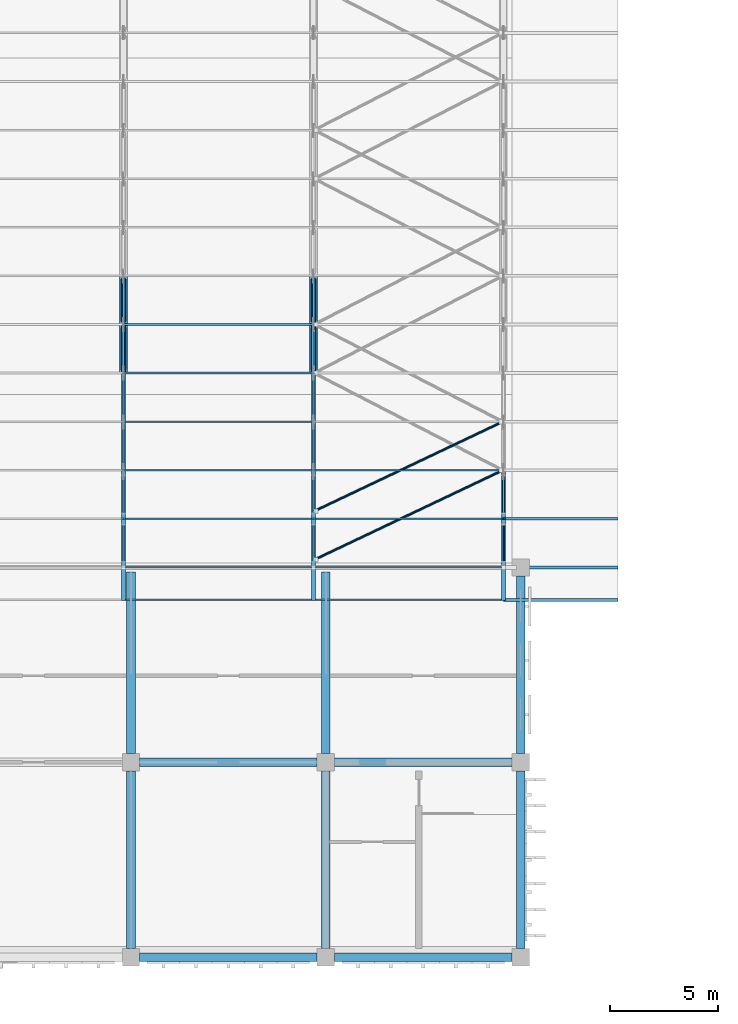
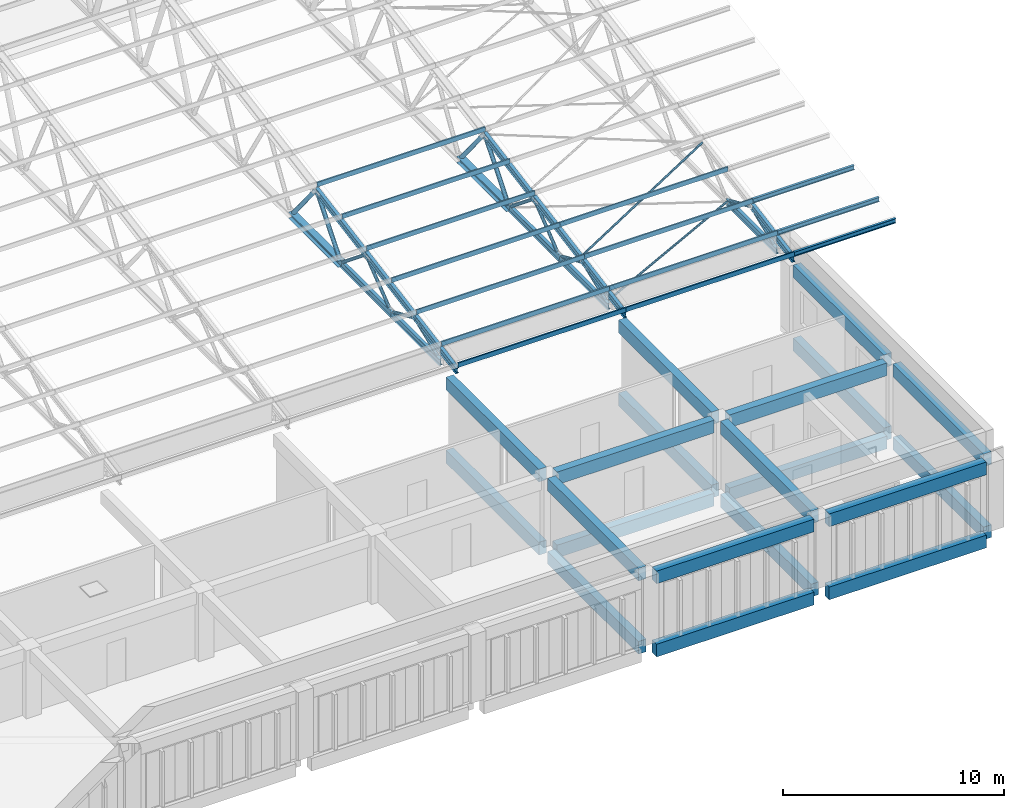
# One storey, part 62 of 185: 47 members, 20 beams.
"""IFC4 building model written with IfcOpenShell, lengths in metres."""

from ifc_helpers import new_model, si_unit, direction, frame, origin, origin_2d, place, context, subcontext, project, spatial, polyline, rectangle, hollow_circle, i_section, outline, extrude, material, material_profile, profile_set, type_object, element, save


model = new_model("IFC4")

# Units and contexts
model_context = context("Model", 3, precision=1e-05, world=origin(), true_north=direction((0.0, 1.0)))
body_context = subcontext(model_context, "Body", "Model", "MODEL_VIEW")
ifc_project = project(units=[si_unit("LENGTHUNIT", "METRE"), si_unit("AREAUNIT", "SQUARE_METRE"), si_unit("VOLUMEUNIT", "CUBIC_METRE"), si_unit("PLANEANGLEUNIT", "RADIAN"), si_unit("MASSUNIT", "GRAM", prefix="KILO")], contexts=[model_context])

# Site, building, storey
site_placement = place(None, origin())
site = spatial("IfcSite", under=ifc_project, at=site_placement, CompositionType="ELEMENT")
building_placement = place(site_placement, origin())
building = spatial("IfcBuilding", under=site, at=building_placement, Name="Opaline Strait Convention Centre", CompositionType="ELEMENT")
storey_placement = place(building_placement, frame((0.0, 0.0, 6.0)))
storey = spatial("IfcBuildingStorey", under=building, at=storey_placement, Name="L01", CompositionType="ELEMENT", Elevation=6.0)

# Members
ifc_material_1 = material(Name="Steel Q355B", Category="steel")
ifc_material_profile_1 = material_profile(ifc_material_1, i_section(OverallWidth=0.125, OverallDepth=0.25, WebThickness=0.006103515625, FlangeThickness=0.009033203125, FilletRadius=0.008056640625, at=origin_2d()), Name="HN 250x125x6x9")
ifc_profile_set_1 = profile_set([ifc_material_profile_1], Name="Steel Q355B")
member_type_1 = type_object("IfcMemberType", Name="Eaves purlin HN 250x125x6x9", PredefinedType="RAFTER", material=ifc_profile_set_1)
for number, where, z_axis, x_axis, name in (
    (1, (350.199951171875, 25.5, 5.24609375), (1.0, 0.0, 0.0), (0.0, 1.0, 0.0), "BU2 purlin line 1 bay 9"),
    (2, (350.199951171875, 27.0, 5.510498046875), (1.0, 0.0, 0.0), (0.0, 1.0, 0.0), "BU2 purlin line 2 bay 9"),
    (3, (350.199951171875, 29.24365234375, 5.90625), (1.0, 0.0, 0.0), (0.0, 1.0, 0.0), "BU2 purlin line 3 bay 9"),
):
    element("IfcMember", number, at=place(storey_placement, frame(where, z_axis=z_axis, x_axis=x_axis)), inside=storey, type_object=member_type_1, Name=name, PredefinedType="RAFTER", context=body_context, shape_type="SweptSolid", body=[
        extrude(i_section(OverallWidth=0.125, OverallDepth=0.25, WebThickness=0.006103515625, FlangeThickness=0.009033203125, FilletRadius=0.008056640625, at=origin_2d()), origin(), (0.0, 0.0, 1.0), 5.300048828125),
    ])

# Beams
ifc_material_2 = material(Name="Concrete C35", Category="concrete")
ifc_material_profile_2 = material_profile(ifc_material_2, rectangle(XDim=0.39990234375, YDim=0.699951171875, at=origin_2d()), Name="RC 400x700")
ifc_profile_set_2 = profile_set([ifc_material_profile_2], Name="Concrete C35")
beam_type = type_object("IfcBeamType", Name="RC girder 400x700 C35", PredefinedType="BEAM", material=ifc_profile_set_2)
for number, where, z_axis, x_axis, name in (
    (4, (333.39990234375, 9.0, -0.6298828125), (1.0, 0.0, 0.0), (0.0, 1.0, 0.0), "BB1 girder 38/B-39/B F"),
    (5, (342.39990234375, 9.0, -0.6298828125), (1.0, 0.0, 0.0), (0.0, 1.0, 0.0), "BB1 girder 39/B-40/B F"),
    (6, (333.39990234375, 18.0, -0.6298828125), (1.0, 0.0, 0.0), (0.0, 1.0, 0.0), "BB1 girder 38/C-39/C F"),
    (7, (342.39990234375, 18.0, -0.6298828125), (1.0, 0.0, 0.0), (0.0, 1.0, 0.0), "BB1 girder 39/C-40/C F"),
    (8, (333.0, 9.39990234375, -0.6298828125), (0.0, 1.0, 0.0), (-1.0, 0.0, 0.0), "BB1 girder 38/B-38/C F"),
):
    element("IfcBeam", number, at=place(storey_placement, frame(where, z_axis=z_axis, x_axis=x_axis)), inside=storey, type_object=beam_type, Name=name, PredefinedType="BEAM", context=body_context, shape_type="SweptSolid", body=[
        extrude(rectangle(XDim=0.39990234375, YDim=0.699951171875, at=origin_2d()), origin(), (0.0, 0.0, 1.0), 8.2001953125),
    ])
beam_1_placement = place(storey_placement, frame((333.0, 18.39990234375, -0.6298828125), z_axis=(0.0, 1.0, 0.0), x_axis=(-1.0, 0.0, 0.0)))
element("IfcBeam", 9, at=beam_1_placement, inside=storey, type_object=beam_type, Name="BB1 girder 38/C-38/D F", PredefinedType="BEAM", context=body_context, shape_type="SweptSolid", body=[
    extrude(rectangle(XDim=0.39990234375, YDim=0.699951171875, at=origin_2d()), origin(), (0.0, 0.0, 1.0), 8.400146484375),
])
beam_2_placement = place(storey_placement, frame((342.0, 9.39990234375, -0.6298828125), z_axis=(0.0, 1.0, 0.0), x_axis=(-1.0, 0.0, 0.0)))
element("IfcBeam", 10, at=beam_2_placement, inside=storey, type_object=beam_type, Name="BB1 girder 39/B-39/C F", PredefinedType="BEAM", context=body_context, shape_type="SweptSolid", body=[
    extrude(rectangle(XDim=0.39990234375, YDim=0.699951171875, at=origin_2d()), origin(), (0.0, 0.0, 1.0), 8.2001953125),
])
beam_3_placement = place(storey_placement, frame((342.0, 18.39990234375, -0.6298828125), z_axis=(0.0, 1.0, 0.0), x_axis=(-1.0, 0.0, 0.0)))
element("IfcBeam", 11, at=beam_3_placement, inside=storey, type_object=beam_type, Name="BB1 girder 39/C-39/D F", PredefinedType="BEAM", context=body_context, shape_type="SweptSolid", body=[
    extrude(rectangle(XDim=0.39990234375, YDim=0.699951171875, at=origin_2d()), origin(), (0.0, 0.0, 1.0), 8.400146484375),
])
for number, where, z_axis, x_axis, name in (
    (12, (351.0, 9.39990234375, -0.6298828125), (0.0, 1.0, 0.0), (-1.0, 0.0, 0.0), "BB1 girder 40/B-40/C F"),
    (13, (351.0, 18.39990234375, -0.6298828125), (0.0, 1.0, 0.0), (-1.0, 0.0, 0.0), "BB1 girder 40/C-40/D F"),
    (14, (333.39990234375, 9.0, 3.39990234375), (1.0, 0.0, 0.0), (0.0, 1.0, 0.0), "BB1 girder 38/B-39/B R"),
    (15, (342.39990234375, 9.0, 3.39990234375), (1.0, 0.0, 0.0), (0.0, 1.0, 0.0), "BB1 girder 39/B-40/B R"),
    (16, (333.39990234375, 18.0, 3.39990234375), (1.0, 0.0, 0.0), (0.0, 1.0, 0.0), "BB1 girder 38/C-39/C R"),
    (17, (342.39990234375, 18.0, 3.39990234375), (1.0, 0.0, 0.0), (0.0, 1.0, 0.0), "BB1 girder 39/C-40/C R"),
    (18, (333.0, 9.39990234375, 3.39990234375), (0.0, 1.0, 0.0), (-1.0, 0.0, 0.0), "BB1 girder 38/B-38/C R"),
):
    element("IfcBeam", number, at=place(storey_placement, frame(where, z_axis=z_axis, x_axis=x_axis)), inside=storey, type_object=beam_type, Name=name, PredefinedType="BEAM", context=body_context, shape_type="SweptSolid", body=[
        extrude(rectangle(XDim=0.39990234375, YDim=0.699951171875, at=origin_2d()), origin(), (0.0, 0.0, 1.0), 8.2001953125),
    ])
beam_4_placement = place(storey_placement, frame((333.0, 18.39990234375, 3.39990234375), z_axis=(0.0, 1.0, 0.0), x_axis=(-1.0, 0.0, 0.0)))
element("IfcBeam", 19, at=beam_4_placement, inside=storey, type_object=beam_type, Name="BB1 girder 38/C-38/D R", PredefinedType="BEAM", context=body_context, shape_type="SweptSolid", body=[
    extrude(rectangle(XDim=0.39990234375, YDim=0.699951171875, at=origin_2d()), origin(), (0.0, 0.0, 1.0), 8.400146484375),
])
beam_5_placement = place(storey_placement, frame((342.0, 9.39990234375, 3.39990234375), z_axis=(0.0, 1.0, 0.0), x_axis=(-1.0, 0.0, 0.0)))
element("IfcBeam", 20, at=beam_5_placement, inside=storey, type_object=beam_type, Name="BB1 girder 39/B-39/C R", PredefinedType="BEAM", context=body_context, shape_type="SweptSolid", body=[
    extrude(rectangle(XDim=0.39990234375, YDim=0.699951171875, at=origin_2d()), origin(), (0.0, 0.0, 1.0), 8.2001953125),
])
beam_6_placement = place(storey_placement, frame((342.0, 18.39990234375, 3.39990234375), z_axis=(0.0, 1.0, 0.0), x_axis=(-1.0, 0.0, 0.0)))
element("IfcBeam", 21, at=beam_6_placement, inside=storey, type_object=beam_type, Name="BB1 girder 39/C-39/D R", PredefinedType="BEAM", context=body_context, shape_type="SweptSolid", body=[
    extrude(rectangle(XDim=0.39990234375, YDim=0.699951171875, at=origin_2d()), origin(), (0.0, 0.0, 1.0), 8.400146484375),
])
for number, where, z_axis, x_axis, name in (
    (22, (351.0, 9.39990234375, 3.39990234375), (0.0, 1.0, 0.0), (-1.0, 0.0, 0.0), "BB1 girder 40/B-40/C R"),
    (23, (351.0, 18.39990234375, 3.39990234375), (0.0, 1.0, 0.0), (-1.0, 0.0, 0.0), "BB1 girder 40/C-40/D R"),
):
    element("IfcBeam", number, at=place(storey_placement, frame(where, z_axis=z_axis, x_axis=x_axis)), inside=storey, type_object=beam_type, Name=name, PredefinedType="BEAM", context=body_context, shape_type="SweptSolid", body=[
        extrude(rectangle(XDim=0.39990234375, YDim=0.699951171875, at=origin_2d()), origin(), (0.0, 0.0, 1.0), 8.2001953125),
    ])

# Members
ifc_material_profile_3 = material_profile(ifc_material_1, hollow_circle(Radius=0.056884765625, WallThickness=0.006103515625, at=origin_2d()), Name="CHS 114x6")
ifc_profile_set_3 = profile_set([ifc_material_profile_3], Name="Steel Q355B")
member_type_2 = type_object("IfcMemberType", Name="Roof plan brace CHS 114x6", PredefinedType="BRACE", material=ifc_profile_set_3)
member_1_placement = place(storey_placement, frame((341.456298828125, 29.59375, 5.6572265625), z_axis=(0.900807457319, 0.427618598857, 0.075420545936), x_axis=(-0.428840014749, 0.903380452384, 0.0)))
element("IfcMember", 24, at=member_1_placement, inside=storey, type_object=member_type_2, Name="BR1 top plane brace end bay 2 panel 1", PredefinedType="BRACE", context=body_context, shape_type="SweptSolid", body=[
    extrude(hollow_circle(Radius=0.056884765625, WallThickness=0.006103515625, at=origin_2d()), origin(), (0.0, 0.0, 1.0), 9.675537109375),
])
member_2_placement = place(storey_placement, frame((341.456298828125, 27.35009765625, 4.5), z_axis=(0.903380452384, 0.428840014749, 0.0), x_axis=(-0.428840014749, 0.903380452384, 0.0)))
element("IfcMember", 25, at=member_2_placement, inside=storey, type_object=member_type_2, Name="BR1 bottom plane brace end bay 2 panel 1", PredefinedType="BRACE", context=body_context, shape_type="SweptSolid", body=[
    extrude(hollow_circle(Radius=0.056884765625, WallThickness=0.006103515625, at=origin_2d()), origin(), (0.0, 0.0, 1.0), 9.64794921875),
])
ifc_material_profile_4 = material_profile(ifc_material_1, outline(polyline([(-0.03759765625, -0.125), (0.03759765625, -0.125), (0.03759765625, -0.10498046875), (0.034423828125, -0.10498046875), (0.034423828125, -0.1220703125), (-0.034423828125, -0.1220703125), (-0.034423828125, 0.1220703125), (0.034423828125, 0.1220703125), (0.034423828125, 0.10498046875), (0.03759765625, 0.10498046875), (0.03759765625, 0.125), (-0.03759765625, 0.125), (-0.03759765625, -0.125)])), Name="C 250x75x20x3")
ifc_profile_set_4 = profile_set([ifc_material_profile_4], Name="Steel Q355B")
member_type_3 = type_object("IfcMemberType", Name="Roof purlin C 250x75x20x3", PredefinedType="RAFTER", material=ifc_profile_set_4)
member_3_placement = place(storey_placement, frame((332.656982421875, 25.5, 5.24609375), z_axis=(1.0, 0.0, 0.0), x_axis=(0.0, 1.0, 0.0)))
element("IfcMember", 26, at=member_3_placement, inside=storey, type_object=member_type_3, Name="BU1 purlin line 1 bay 7", PredefinedType="RAFTER", context=body_context, shape_type="SweptSolid", body=[
    extrude(outline(polyline([(-0.03759765625, -0.125), (0.03759765625, -0.125), (0.03759765625, -0.10498046875), (0.034423828125, -0.10498046875), (0.034423828125, -0.1220703125), (-0.034423828125, -0.1220703125), (-0.034423828125, 0.1220703125), (0.034423828125, 0.1220703125), (0.034423828125, 0.10498046875), (0.03759765625, 0.10498046875), (0.03759765625, 0.125), (-0.03759765625, 0.125), (-0.03759765625, -0.125)])), origin(), (0.0, 0.0, 1.0), 8.771728515625),
])
member_4_placement = place(storey_placement, frame((341.4287109375, 25.5, 5.24609375), z_axis=(1.0, 0.0, 0.0), x_axis=(0.0, 1.0, 0.0)))
element("IfcMember", 27, at=member_4_placement, inside=storey, type_object=member_type_3, Name="BU1 purlin line 1 bay 8", PredefinedType="RAFTER", context=body_context, shape_type="SweptSolid", body=[
    extrude(outline(polyline([(-0.03759765625, -0.125), (0.03759765625, -0.125), (0.03759765625, -0.10498046875), (0.034423828125, -0.10498046875), (0.034423828125, -0.1220703125), (-0.034423828125, -0.1220703125), (-0.034423828125, 0.1220703125), (0.034423828125, 0.1220703125), (0.034423828125, 0.10498046875), (0.03759765625, 0.10498046875), (0.03759765625, 0.125), (-0.03759765625, 0.125), (-0.03759765625, -0.125)])), origin(), (0.0, 0.0, 1.0), 8.771240234375),
])
member_5_placement = place(storey_placement, frame((332.656982421875, 27.0, 5.510498046875), z_axis=(1.0, 0.0, 0.0), x_axis=(0.0, 1.0, 0.0)))
element("IfcMember", 28, at=member_5_placement, inside=storey, type_object=member_type_3, Name="BU1 purlin line 2 bay 7", PredefinedType="RAFTER", context=body_context, shape_type="SweptSolid", body=[
    extrude(outline(polyline([(-0.03759765625, -0.125), (0.03759765625, -0.125), (0.03759765625, -0.10498046875), (0.034423828125, -0.10498046875), (0.034423828125, -0.1220703125), (-0.034423828125, -0.1220703125), (-0.034423828125, 0.1220703125), (0.034423828125, 0.1220703125), (0.034423828125, 0.10498046875), (0.03759765625, 0.10498046875), (0.03759765625, 0.125), (-0.03759765625, 0.125), (-0.03759765625, -0.125)])), origin(), (0.0, 0.0, 1.0), 8.771728515625),
])
member_6_placement = place(storey_placement, frame((341.4287109375, 27.0, 5.510498046875), z_axis=(1.0, 0.0, 0.0), x_axis=(0.0, 1.0, 0.0)))
element("IfcMember", 29, at=member_6_placement, inside=storey, type_object=member_type_3, Name="BU1 purlin line 2 bay 8", PredefinedType="RAFTER", context=body_context, shape_type="SweptSolid", body=[
    extrude(outline(polyline([(-0.03759765625, -0.125), (0.03759765625, -0.125), (0.03759765625, -0.10498046875), (0.034423828125, -0.10498046875), (0.034423828125, -0.1220703125), (-0.034423828125, -0.1220703125), (-0.034423828125, 0.1220703125), (0.034423828125, 0.1220703125), (0.034423828125, 0.10498046875), (0.03759765625, 0.10498046875), (0.03759765625, 0.125), (-0.03759765625, 0.125), (-0.03759765625, -0.125)])), origin(), (0.0, 0.0, 1.0), 8.771240234375),
])
member_7_placement = place(storey_placement, frame((332.656982421875, 29.24365234375, 5.90625), z_axis=(1.0, 0.0, 0.0), x_axis=(0.0, 1.0, 0.0)))
element("IfcMember", 30, at=member_7_placement, inside=storey, type_object=member_type_3, Name="BU1 purlin line 3 bay 7", PredefinedType="RAFTER", context=body_context, shape_type="SweptSolid", body=[
    extrude(outline(polyline([(-0.03759765625, -0.125), (0.03759765625, -0.125), (0.03759765625, -0.10498046875), (0.034423828125, -0.10498046875), (0.034423828125, -0.1220703125), (-0.034423828125, -0.1220703125), (-0.034423828125, 0.1220703125), (0.034423828125, 0.1220703125), (0.034423828125, 0.10498046875), (0.03759765625, 0.10498046875), (0.03759765625, 0.125), (-0.03759765625, 0.125), (-0.03759765625, -0.125)])), origin(), (0.0, 0.0, 1.0), 8.771728515625),
])
member_8_placement = place(storey_placement, frame((341.4287109375, 29.24365234375, 5.90625), z_axis=(1.0, 0.0, 0.0), x_axis=(0.0, 1.0, 0.0)))
element("IfcMember", 31, at=member_8_placement, inside=storey, type_object=member_type_3, Name="BU1 purlin line 3 bay 8", PredefinedType="RAFTER", context=body_context, shape_type="SweptSolid", body=[
    extrude(outline(polyline([(-0.03759765625, -0.125), (0.03759765625, -0.125), (0.03759765625, -0.10498046875), (0.034423828125, -0.10498046875), (0.034423828125, -0.1220703125), (-0.034423828125, -0.1220703125), (-0.034423828125, 0.1220703125), (0.034423828125, 0.1220703125), (0.034423828125, 0.10498046875), (0.03759765625, 0.10498046875), (0.03759765625, 0.125), (-0.03759765625, 0.125), (-0.03759765625, -0.125)])), origin(), (0.0, 0.0, 1.0), 8.771240234375),
])
member_9_placement = place(storey_placement, frame((332.656982421875, 31.487548828125, 6.3017578125), z_axis=(1.0, 0.0, 0.0), x_axis=(0.0, 1.0, 0.0)))
element("IfcMember", 32, at=member_9_placement, inside=storey, type_object=member_type_3, Name="BU1 purlin line 4 bay 7", PredefinedType="RAFTER", context=body_context, shape_type="SweptSolid", body=[
    extrude(outline(polyline([(-0.03759765625, -0.125), (0.03759765625, -0.125), (0.03759765625, -0.10498046875), (0.034423828125, -0.10498046875), (0.034423828125, -0.1220703125), (-0.034423828125, -0.1220703125), (-0.034423828125, 0.1220703125), (0.034423828125, 0.1220703125), (0.034423828125, 0.10498046875), (0.03759765625, 0.10498046875), (0.03759765625, 0.125), (-0.03759765625, 0.125), (-0.03759765625, -0.125)])), origin(), (0.0, 0.0, 1.0), 8.771728515625),
])
member_10_placement = place(storey_placement, frame((341.4287109375, 31.487548828125, 6.3017578125), z_axis=(1.0, 0.0, 0.0), x_axis=(0.0, 1.0, 0.0)))
element("IfcMember", 33, at=member_10_placement, inside=storey, type_object=member_type_3, Name="BU1 purlin line 4 bay 8", PredefinedType="RAFTER", context=body_context, shape_type="SweptSolid", body=[
    extrude(outline(polyline([(-0.03759765625, -0.125), (0.03759765625, -0.125), (0.03759765625, -0.10498046875), (0.034423828125, -0.10498046875), (0.034423828125, -0.1220703125), (-0.034423828125, -0.1220703125), (-0.034423828125, 0.1220703125), (0.034423828125, 0.1220703125), (0.034423828125, 0.10498046875), (0.03759765625, 0.10498046875), (0.03759765625, 0.125), (-0.03759765625, 0.125), (-0.03759765625, -0.125)])), origin(), (0.0, 0.0, 1.0), 8.771240234375),
])
for number, where, z_axis, x_axis, name in (
    (34, (332.656982421875, 33.731201171875, 6.697509765625), (1.0, 0.0, 0.0), (0.0, 1.0, 0.0), "BU1 purlin line 5 bay 7"),
    (35, (332.656982421875, 35.97509765625, 7.093017578125), (1.0, 0.0, 0.0), (0.0, 1.0, 0.0), "BU1 purlin line 6 bay 7"),
    (36, (332.656982421875, 38.21875, 7.48876953125), (1.0, 0.0, 0.0), (0.0, 1.0, 0.0), "BU1 purlin line 7 bay 7"),
):
    element("IfcMember", number, at=place(storey_placement, frame(where, z_axis=z_axis, x_axis=x_axis)), inside=storey, type_object=member_type_3, Name=name, PredefinedType="RAFTER", context=body_context, shape_type="SweptSolid", body=[
        extrude(outline(polyline([(-0.03759765625, -0.125), (0.03759765625, -0.125), (0.03759765625, -0.10498046875), (0.034423828125, -0.10498046875), (0.034423828125, -0.1220703125), (-0.034423828125, -0.1220703125), (-0.034423828125, 0.1220703125), (0.034423828125, 0.1220703125), (0.034423828125, 0.10498046875), (0.03759765625, 0.10498046875), (0.03759765625, 0.125), (-0.03759765625, 0.125), (-0.03759765625, -0.125)])), origin(), (0.0, 0.0, 1.0), 8.771728515625),
    ])
ifc_material_profile_5 = material_profile(ifc_material_1, i_section(OverallWidth=0.175048828125, OverallDepth=0.35009765625, WebThickness=0.007080078125, FlangeThickness=0.010986328125, FilletRadius=0.012939453125, at=origin_2d()), Name="HN 350x175x7x11")
ifc_profile_set_5 = profile_set([ifc_material_profile_5], Name="Steel Q355B")
member_type_4 = type_object("IfcMemberType", Name="Truss bottom chord HN 350x175x7x11", PredefinedType="CHORD", material=ifc_profile_set_5)
for number, where, z_axis, x_axis, name in (
    (37, (332.656982421875, 27.0, 4.5), (0.0, 1.0, 0.0), (-1.0, 0.0, 0.0), "BT2 bottom chord line 6 panel 1"),
    (38, (332.656982421875, 31.487548828125, 4.5), (0.0, 1.0, 0.0), (-1.0, 0.0, 0.0), "BT2 bottom chord line 6 panel 2"),
    (39, (341.4287109375, 27.0, 4.5), (0.0, 1.0, 0.0), (-1.0, 0.0, 0.0), "BT2 bottom chord line 7 panel 1"),
    (40, (341.4287109375, 31.487548828125, 4.5), (0.0, 1.0, 0.0), (-1.0, 0.0, 0.0), "BT2 bottom chord line 7 panel 2"),
    (41, (350.199951171875, 27.0, 4.5), (0.0, 1.0, 0.0), (-1.0, 0.0, 0.0), "BT2 bottom chord line 8 panel 1"),
):
    element("IfcMember", number, at=place(storey_placement, frame(where, z_axis=z_axis, x_axis=x_axis)), inside=storey, type_object=member_type_4, Name=name, PredefinedType="CHORD", context=body_context, shape_type="SweptSolid", body=[
        extrude(i_section(OverallWidth=0.175048828125, OverallDepth=0.35009765625, WebThickness=0.007080078125, FlangeThickness=0.010986328125, FilletRadius=0.012939453125, at=origin_2d()), origin(), (0.0, 0.0, 1.0), 4.487548828125),
    ])
ifc_material_profile_6 = material_profile(ifc_material_1, i_section(OverallWidth=0.35009765625, OverallDepth=0.35009765625, WebThickness=0.011962890625, FlangeThickness=0.01904296875, FilletRadius=0.012939453125, at=origin_2d()), Name="HW 350x350x12x19")
ifc_profile_set_6 = profile_set([ifc_material_profile_6], Name="Steel Q355B")
member_type_5 = type_object("IfcMemberType", Name="Truss bottom chord HW 350x350x12x19", PredefinedType="CHORD", material=ifc_profile_set_6)
for number, where, z_axis, x_axis, name in (
    (42, (332.656982421875, 35.97509765625, 4.5), (0.0, 1.0, 0.0), (-1.0, 0.0, 0.0), "BT4 bottom chord line 6 panel 3"),
    (43, (341.4287109375, 35.97509765625, 4.5), (0.0, 1.0, 0.0), (-1.0, 0.0, 0.0), "BT4 bottom chord line 7 panel 3"),
):
    element("IfcMember", number, at=place(storey_placement, frame(where, z_axis=z_axis, x_axis=x_axis)), inside=storey, type_object=member_type_5, Name=name, PredefinedType="CHORD", context=body_context, shape_type="SweptSolid", body=[
        extrude(i_section(OverallWidth=0.35009765625, OverallDepth=0.35009765625, WebThickness=0.011962890625, FlangeThickness=0.01904296875, FilletRadius=0.012939453125, at=origin_2d()), origin(), (0.0, 0.0, 1.0), 4.4873046875),
    ])
ifc_material_profile_7 = material_profile(ifc_material_1, i_section(OverallWidth=0.175048828125, OverallDepth=0.35009765625, WebThickness=0.007080078125, FlangeThickness=0.010986328125, FilletRadius=0.012939453125, at=origin_2d()), Name="HN 350x175x7x11")
ifc_profile_set_7 = profile_set([ifc_material_profile_7], Name="Steel Q355B")
member_type_6 = type_object("IfcMemberType", Name="Truss top chord HN 350x175x7x11", PredefinedType="CHORD", material=ifc_profile_set_7)
member_11_placement = place(storey_placement, frame((332.656982421875, 25.5, 4.935546875), z_axis=(0.0, 0.984817426759, 0.173593306182), x_axis=(-1.0, 0.0, 0.0)))
element("IfcMember", 44, at=member_11_placement, inside=storey, type_object=member_type_6, Name="BT1 top chord line 6 panel 1", PredefinedType="CHORD", context=body_context, shape_type="SweptSolid", body=[
    extrude(i_section(OverallWidth=0.175048828125, OverallDepth=0.35009765625, WebThickness=0.007080078125, FlangeThickness=0.010986328125, FilletRadius=0.012939453125, at=origin_2d()), origin(), (0.0, 0.0, 1.0), 1.523193359375),
])
member_12_placement = place(storey_placement, frame((332.656982421875, 27.0, 5.199951171875), z_axis=(0.0, 0.984797579866, 0.173705862564), x_axis=(-1.0, 0.0, 0.0)))
element("IfcMember", 45, at=member_12_placement, inside=storey, type_object=member_type_6, Name="BT1 top chord line 6 panel 2", PredefinedType="CHORD", context=body_context, shape_type="SweptSolid", body=[
    extrude(i_section(OverallWidth=0.175048828125, OverallDepth=0.35009765625, WebThickness=0.007080078125, FlangeThickness=0.010986328125, FilletRadius=0.012939453125, at=origin_2d()), origin(), (0.0, 0.0, 1.0), 2.2783203125),
])
for number, where, z_axis, x_axis, name in (
    (46, (332.656982421875, 29.24365234375, 5.595703125), (0.0, 0.984808359847, 0.173644736101), (-1.0, 0.0, 0.0), "BT1 top chord line 6 panel 3"),
    (47, (332.656982421875, 33.731201171875, 6.386962890625), (0.0, 0.984808359847, 0.173644736101), (-1.0, 0.0, 0.0), "BT1 top chord line 6 panel 4"),
):
    element("IfcMember", number, at=place(storey_placement, frame(where, z_axis=z_axis, x_axis=x_axis)), inside=storey, type_object=member_type_6, Name=name, PredefinedType="CHORD", context=body_context, shape_type="SweptSolid", body=[
        extrude(i_section(OverallWidth=0.175048828125, OverallDepth=0.35009765625, WebThickness=0.007080078125, FlangeThickness=0.010986328125, FilletRadius=0.012939453125, at=origin_2d()), origin(), (0.0, 0.0, 1.0), 4.556884765625),
    ])
member_13_placement = place(storey_placement, frame((341.4287109375, 25.5, 4.935546875), z_axis=(0.0, 0.984817426759, 0.173593306182), x_axis=(-1.0, 0.0, 0.0)))
element("IfcMember", 48, at=member_13_placement, inside=storey, type_object=member_type_6, Name="BT1 top chord line 7 panel 1", PredefinedType="CHORD", context=body_context, shape_type="SweptSolid", body=[
    extrude(i_section(OverallWidth=0.175048828125, OverallDepth=0.35009765625, WebThickness=0.007080078125, FlangeThickness=0.010986328125, FilletRadius=0.012939453125, at=origin_2d()), origin(), (0.0, 0.0, 1.0), 1.523193359375),
])
member_14_placement = place(storey_placement, frame((341.4287109375, 27.0, 5.199951171875), z_axis=(0.0, 0.984797579866, 0.173705862564), x_axis=(-1.0, 0.0, 0.0)))
element("IfcMember", 49, at=member_14_placement, inside=storey, type_object=member_type_6, Name="BT1 top chord line 7 panel 2", PredefinedType="CHORD", context=body_context, shape_type="SweptSolid", body=[
    extrude(i_section(OverallWidth=0.175048828125, OverallDepth=0.35009765625, WebThickness=0.007080078125, FlangeThickness=0.010986328125, FilletRadius=0.012939453125, at=origin_2d()), origin(), (0.0, 0.0, 1.0), 2.2783203125),
])
for number, where, z_axis, x_axis, name in (
    (50, (341.4287109375, 29.24365234375, 5.595703125), (0.0, 0.984808359847, 0.173644736101), (-1.0, 0.0, 0.0), "BT1 top chord line 7 panel 3"),
    (51, (341.4287109375, 33.731201171875, 6.386962890625), (0.0, 0.984808359847, 0.173644736101), (-1.0, 0.0, 0.0), "BT1 top chord line 7 panel 4"),
):
    element("IfcMember", number, at=place(storey_placement, frame(where, z_axis=z_axis, x_axis=x_axis)), inside=storey, type_object=member_type_6, Name=name, PredefinedType="CHORD", context=body_context, shape_type="SweptSolid", body=[
        extrude(i_section(OverallWidth=0.175048828125, OverallDepth=0.35009765625, WebThickness=0.007080078125, FlangeThickness=0.010986328125, FilletRadius=0.012939453125, at=origin_2d()), origin(), (0.0, 0.0, 1.0), 4.556884765625),
    ])
member_15_placement = place(storey_placement, frame((350.199951171875, 25.5, 4.935546875), z_axis=(0.0, 0.984817426759, 0.173593306182), x_axis=(-1.0, 0.0, 0.0)))
element("IfcMember", 52, at=member_15_placement, inside=storey, type_object=member_type_6, Name="BT1 top chord line 8 panel 1", PredefinedType="CHORD", context=body_context, shape_type="SweptSolid", body=[
    extrude(i_section(OverallWidth=0.175048828125, OverallDepth=0.35009765625, WebThickness=0.007080078125, FlangeThickness=0.010986328125, FilletRadius=0.012939453125, at=origin_2d()), origin(), (0.0, 0.0, 1.0), 1.523193359375),
])
member_16_placement = place(storey_placement, frame((350.199951171875, 27.0, 5.199951171875), z_axis=(0.0, 0.984797579866, 0.173705862564), x_axis=(-1.0, 0.0, 0.0)))
element("IfcMember", 53, at=member_16_placement, inside=storey, type_object=member_type_6, Name="BT1 top chord line 8 panel 2", PredefinedType="CHORD", context=body_context, shape_type="SweptSolid", body=[
    extrude(i_section(OverallWidth=0.175048828125, OverallDepth=0.35009765625, WebThickness=0.007080078125, FlangeThickness=0.010986328125, FilletRadius=0.012939453125, at=origin_2d()), origin(), (0.0, 0.0, 1.0), 2.2783203125),
])
ifc_material_profile_8 = material_profile(ifc_material_1, hollow_circle(Radius=0.083984375, WallThickness=0.008056640625, at=origin_2d()), Name="CHS 168x8")
ifc_profile_set_8 = profile_set([ifc_material_profile_8], Name="Steel Q355B")
member_type_7 = type_object("IfcMemberType", Name="Truss web CHS 168x8", PredefinedType="BRACE", material=ifc_profile_set_8)
member_17_placement = place(storey_placement, frame((332.656982421875, 27.26611328125, 4.683349609375), z_axis=(0.0, 0.929133288935, 0.369744954519), x_axis=(-1.0, 0.0, 0.0)))
element("IfcMember", 54, at=member_17_placement, inside=storey, type_object=member_type_7, Name="BW2 web line 6 member 1", PredefinedType="BRACE", context=body_context, shape_type="SweptSolid", body=[
    extrude(hollow_circle(Radius=0.083984375, WallThickness=0.008056640625, at=origin_2d()), origin(), (0.0, 0.0, 1.0), 1.84228515625),
])
member_18_placement = place(storey_placement, frame((332.656982421875, 31.239501953125, 4.683837890625), z_axis=(0.0, -0.915689956093, 0.401885436799), x_axis=(1.0, 0.0, 0.0)))
element("IfcMember", 55, at=member_18_placement, inside=storey, type_object=member_type_7, Name="BW2 web line 6 member 2", PredefinedType="BRACE", context=body_context, shape_type="SweptSolid", body=[
    extrude(hollow_circle(Radius=0.083984375, WallThickness=0.008056640625, at=origin_2d()), origin(), (0.0, 0.0, 1.0), 1.90869140625),
])
member_19_placement = place(storey_placement, frame((332.656982421875, 31.6533203125, 4.678955078125), z_axis=(0.0, 0.787377696888, 0.616470893427), x_axis=(-1.0, 0.0, 0.0)))
element("IfcMember", 56, at=member_19_placement, inside=storey, type_object=member_type_7, Name="BW2 web line 6 member 3", PredefinedType="BRACE", context=body_context, shape_type="SweptSolid", body=[
    extrude(hollow_circle(Radius=0.083984375, WallThickness=0.008056640625, at=origin_2d()), origin(), (0.0, 0.0, 1.0), 2.428466796875),
])
member_20_placement = place(storey_placement, frame((332.656982421875, 35.81201171875, 4.678955078125), z_axis=(0.0, -0.776751826375, 0.629806795949), x_axis=(1.0, 0.0, 0.0)))
element("IfcMember", 57, at=member_20_placement, inside=storey, type_object=member_type_7, Name="BW2 web line 6 member 4", PredefinedType="BRACE", context=body_context, shape_type="SweptSolid", body=[
    extrude(hollow_circle(Radius=0.083984375, WallThickness=0.008056640625, at=origin_2d()), origin(), (0.0, 0.0, 1.0), 2.468994140625),
])
member_21_placement = place(storey_placement, frame((341.4287109375, 27.26611328125, 4.683349609375), z_axis=(0.0, 0.929133288935, 0.369744954519), x_axis=(-1.0, 0.0, 0.0)))
element("IfcMember", 58, at=member_21_placement, inside=storey, type_object=member_type_7, Name="BW2 web line 7 member 1", PredefinedType="BRACE", context=body_context, shape_type="SweptSolid", body=[
    extrude(hollow_circle(Radius=0.083984375, WallThickness=0.008056640625, at=origin_2d()), origin(), (0.0, 0.0, 1.0), 1.84228515625),
])
member_22_placement = place(storey_placement, frame((341.4287109375, 31.239501953125, 4.683837890625), z_axis=(0.0, -0.915689956093, 0.401885436799), x_axis=(1.0, 0.0, 0.0)))
element("IfcMember", 59, at=member_22_placement, inside=storey, type_object=member_type_7, Name="BW2 web line 7 member 2", PredefinedType="BRACE", context=body_context, shape_type="SweptSolid", body=[
    extrude(hollow_circle(Radius=0.083984375, WallThickness=0.008056640625, at=origin_2d()), origin(), (0.0, 0.0, 1.0), 1.90869140625),
])
member_23_placement = place(storey_placement, frame((341.4287109375, 31.6533203125, 4.678955078125), z_axis=(0.0, 0.787377696888, 0.616470893427), x_axis=(-1.0, 0.0, 0.0)))
element("IfcMember", 60, at=member_23_placement, inside=storey, type_object=member_type_7, Name="BW2 web line 7 member 3", PredefinedType="BRACE", context=body_context, shape_type="SweptSolid", body=[
    extrude(hollow_circle(Radius=0.083984375, WallThickness=0.008056640625, at=origin_2d()), origin(), (0.0, 0.0, 1.0), 2.428466796875),
])
member_24_placement = place(storey_placement, frame((341.4287109375, 35.81201171875, 4.678955078125), z_axis=(0.0, -0.776751826375, 0.629806795949), x_axis=(1.0, 0.0, 0.0)))
element("IfcMember", 61, at=member_24_placement, inside=storey, type_object=member_type_7, Name="BW2 web line 7 member 4", PredefinedType="BRACE", context=body_context, shape_type="SweptSolid", body=[
    extrude(hollow_circle(Radius=0.083984375, WallThickness=0.008056640625, at=origin_2d()), origin(), (0.0, 0.0, 1.0), 2.468994140625),
])
member_25_placement = place(storey_placement, frame((350.199951171875, 27.26611328125, 4.683349609375), z_axis=(0.0, 0.929133288935, 0.369744954519), x_axis=(-1.0, 0.0, 0.0)))
element("IfcMember", 62, at=member_25_placement, inside=storey, type_object=member_type_7, Name="BW2 web line 8 member 1", PredefinedType="BRACE", context=body_context, shape_type="SweptSolid", body=[
    extrude(hollow_circle(Radius=0.083984375, WallThickness=0.008056640625, at=origin_2d()), origin(), (0.0, 0.0, 1.0), 1.84228515625),
])
member_26_placement = place(storey_placement, frame((350.199951171875, 31.239501953125, 4.683837890625), z_axis=(0.0, -0.915689956093, 0.401885436799), x_axis=(1.0, 0.0, 0.0)))
element("IfcMember", 63, at=member_26_placement, inside=storey, type_object=member_type_7, Name="BW2 web line 8 member 2", PredefinedType="BRACE", context=body_context, shape_type="SweptSolid", body=[
    extrude(hollow_circle(Radius=0.083984375, WallThickness=0.008056640625, at=origin_2d()), origin(), (0.0, 0.0, 1.0), 1.90869140625),
])
ifc_material_profile_9 = material_profile(ifc_material_1, hollow_circle(Radius=0.109619140625, WallThickness=0.010009765625, at=origin_2d()), Name="CHS 219x10")
ifc_profile_set_9 = profile_set([ifc_material_profile_9], Name="Steel Q355B")
member_type_8 = type_object("IfcMemberType", Name="Truss web CHS 219x10", PredefinedType="BRACE", material=ifc_profile_set_9)
member_27_placement = place(storey_placement, frame((332.656982421875, 36.147216796875, 4.678955078125), z_axis=(0.0, 0.638891118457, 0.769297171941), x_axis=(-1.0, 0.0, 0.0)))
element("IfcMember", 64, at=member_27_placement, inside=storey, type_object=member_type_8, Name="BW3 web line 6 member 5", PredefinedType="BRACE", context=body_context, shape_type="SweptSolid", body=[
    extrude(hollow_circle(Radius=0.109619140625, WallThickness=0.010009765625, at=origin_2d()), origin(), (0.0, 0.0, 1.0), 2.972900390625),
])
member_28_placement = place(storey_placement, frame((332.656982421875, 40.291748046875, 4.678955078125), z_axis=(0.0, -0.629570044101, 0.77694372999), x_axis=(1.0, 0.0, 0.0)))
element("IfcMember", 65, at=member_28_placement, inside=storey, type_object=member_type_8, Name="BW3 web line 6 member 6", PredefinedType="BRACE", context=body_context, shape_type="SweptSolid", body=[
    extrude(hollow_circle(Radius=0.109619140625, WallThickness=0.010009765625, at=origin_2d()), origin(), (0.0, 0.0, 1.0), 3.021728515625),
])
member_29_placement = place(storey_placement, frame((341.4287109375, 36.147216796875, 4.678955078125), z_axis=(0.0, 0.638891118457, 0.769297171941), x_axis=(-1.0, 0.0, 0.0)))
element("IfcMember", 66, at=member_29_placement, inside=storey, type_object=member_type_8, Name="BW3 web line 7 member 5", PredefinedType="BRACE", context=body_context, shape_type="SweptSolid", body=[
    extrude(hollow_circle(Radius=0.109619140625, WallThickness=0.010009765625, at=origin_2d()), origin(), (0.0, 0.0, 1.0), 2.972900390625),
])
member_30_placement = place(storey_placement, frame((341.4287109375, 40.291748046875, 4.678955078125), z_axis=(0.0, -0.629570044101, 0.77694372999), x_axis=(1.0, 0.0, 0.0)))
element("IfcMember", 67, at=member_30_placement, inside=storey, type_object=member_type_8, Name="BW3 web line 7 member 6", PredefinedType="BRACE", context=body_context, shape_type="SweptSolid", body=[
    extrude(hollow_circle(Radius=0.109619140625, WallThickness=0.010009765625, at=origin_2d()), origin(), (0.0, 0.0, 1.0), 3.021728515625),
])

save(model, "model.ifc")
